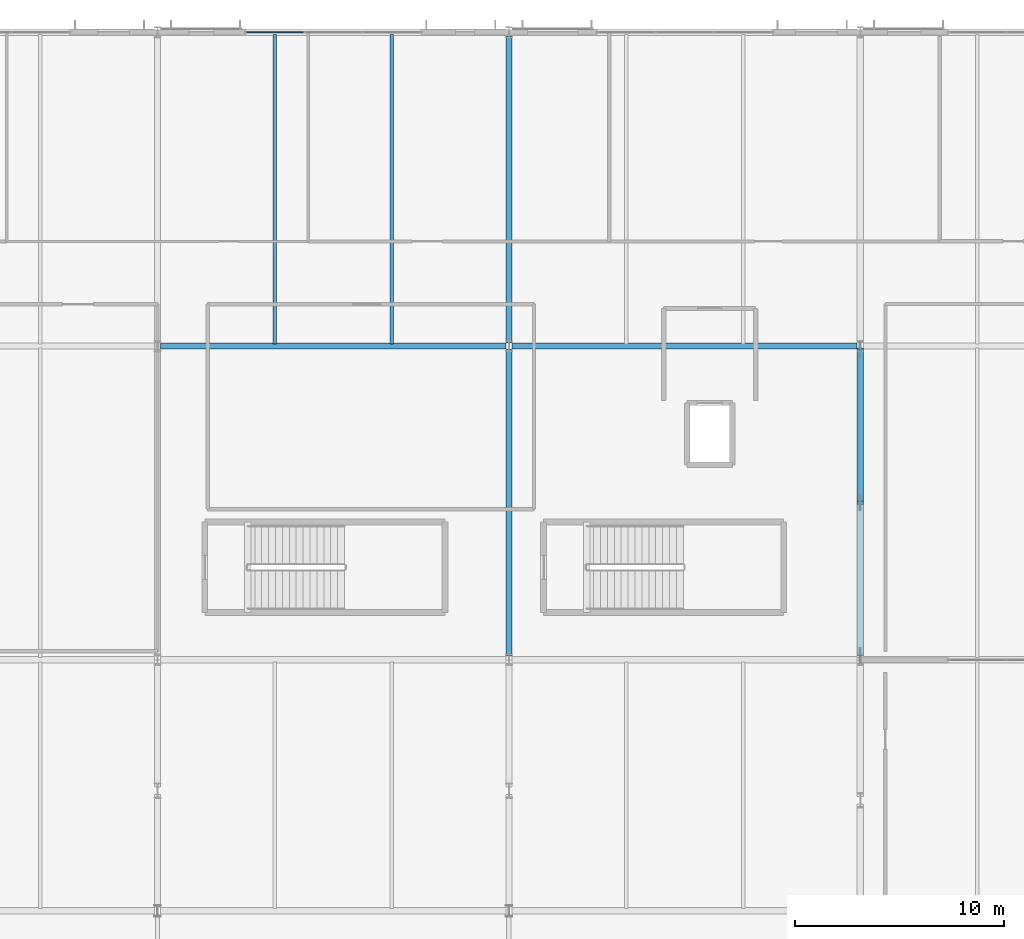
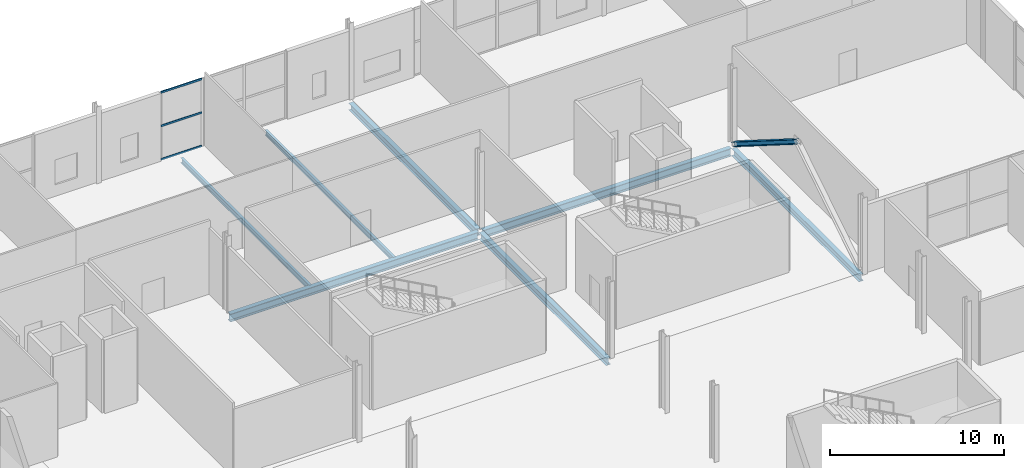
# One storey, part 34 of 84: 7 beams, 4 members, 1 element without a shape of its own.
"""IFC4 building model written with IfcOpenShell, lengths in metres."""

from ifc_helpers import new_model, si_unit, direction, frame, origin, origin_2d, place, context, subcontext, project, spatial, rectangle, i_section, extrude, material, material_profile, profile_set, type_object, element, aggregate, save


model = new_model("IFC4")

# Units and contexts
model_context = context("Model", 3, precision=1e-05, world=origin(), true_north=direction((0.0, 1.0)))
body_context = subcontext(model_context, "Body", "Model", "MODEL_VIEW")
ifc_project = project(units=[si_unit("LENGTHUNIT", "METRE"), si_unit("AREAUNIT", "SQUARE_METRE"), si_unit("VOLUMEUNIT", "CUBIC_METRE"), si_unit("PLANEANGLEUNIT", "RADIAN"), si_unit("MASSUNIT", "GRAM", prefix="KILO")], contexts=[model_context])

# Site, building, storey
site_placement = place(None, origin())
site = spatial("IfcSite", under=ifc_project, at=site_placement, CompositionType="ELEMENT")
building_placement = place(site_placement, origin())
building = spatial("IfcBuilding", under=site, at=building_placement, Name="Kimbaza Rail Terminus", CompositionType="ELEMENT")
storey_placement = place(building_placement, frame((0.0, 0.0, 5.39990234375)))
storey = spatial("IfcBuildingStorey", under=building, at=storey_placement, Name="L01", CompositionType="ELEMENT", Elevation=5.39990234375)

# Curtain wall, members
ifc_material_1 = material(Name="Anodised aluminium framing and solar low-E glazing", Category="aluminium")
curtain_wall_type = type_object("IfcCurtainWallType", Name="ARC-CW-OP1", PredefinedType="USERDEFINED", material=ifc_material_1)
curtain_wall_placement = place(storey_placement, origin())
curtain_wall = element("IfcCurtainWall", 1, at=curtain_wall_placement, inside=storey, type_object=curtain_wall_type, Name="Operations North Curtain Wall L01 Bay 4", ObjectType="UNITISED CURTAIN WALL", PredefinedType="USERDEFINED")
ifc_material_2 = material(Name="Anodised architectural aluminium", Category="aluminium")
ifc_material_profile_1 = material_profile(ifc_material_2, rectangle(XDim=0.06201171875, YDim=0.135009765625, at=origin_2d()), Name="TRANSOM 62x135")
ifc_profile_set_1 = profile_set([ifc_material_profile_1], Name="Anodised architectural aluminium")
member_type_1 = type_object("IfcMemberType", Name="ARC-CWT-05", PredefinedType="USERDEFINED", material=ifc_profile_set_1)
member_1_placement = place(storey_placement, frame((109.862060546875, 133.0, 0.031005859375), z_axis=(1.0, 0.0, 0.0), x_axis=(0.0, 1.0, 0.0)))
member_1 = element("IfcMember", 2, at=member_1_placement, type_object=member_type_1, Name="CW-05 transom 1.1", ObjectType="TRANSOM", PredefinedType="USERDEFINED", context=body_context, shape_type="SweptSolid", body=[
    extrude(rectangle(XDim=0.06201171875, YDim=0.135009765625, at=origin_2d()), origin(), (0.0, 0.0, 1.0), 2.70703125),
])
member_2_placement = place(storey_placement, frame((109.862060546875, 133.0, 2.382568359375), z_axis=(1.0, 0.0, 0.0), x_axis=(0.0, 1.0, 0.0)))
member_2 = element("IfcMember", 3, at=member_2_placement, type_object=member_type_1, Name="CW-05 transom 1.2", ObjectType="TRANSOM", PredefinedType="USERDEFINED", context=body_context, shape_type="SweptSolid", body=[
    extrude(rectangle(XDim=0.06201171875, YDim=0.135009765625, at=origin_2d()), origin(), (0.0, 0.0, 1.0), 2.70703125),
])
member_3_placement = place(storey_placement, frame((109.862060546875, 133.0, 4.734130859375), z_axis=(1.0, 0.0, 0.0), x_axis=(0.0, 1.0, 0.0)))
member_3 = element("IfcMember", 4, at=member_3_placement, type_object=member_type_1, Name="CW-05 transom 1.3", ObjectType="TRANSOM", PredefinedType="USERDEFINED", context=body_context, shape_type="SweptSolid", body=[
    extrude(rectangle(XDim=0.06201171875, YDim=0.135009765625, at=origin_2d()), origin(), (0.0, 0.0, 1.0), 2.70703125),
])
aggregate(curtain_wall, [member_1, member_2, member_3])

# Beams
ifc_material_3 = material(Name="Steel S355", Category="steel")
ifc_material_profile_2 = material_profile(ifc_material_3, i_section(OverallWidth=0.300048828125, OverallDepth=0.5, WebThickness=0.014404296875, FlangeThickness=0.028076171875, FilletRadius=0.027099609375, at=origin_2d()), Name="HEB 500")
ifc_profile_set_2 = profile_set([ifc_material_profile_2], Name="Steel S355")
beam_type_1 = type_object("IfcBeamType", Name="STR-BM-HEB500", PredefinedType="BEAM", material=ifc_profile_set_2)
for number, where, z_axis, x_axis, name in (
    (5, (122.39990234375, 103.175048828125, -0.489990234375), (0.0, 1.0, 0.0), (-1.0, 0.0, 0.0), "Operations Cross Girder L01 X4-Y0"),
    (6, (122.39990234375, 118.175048828125, -0.489990234375), (0.0, 1.0, 0.0), (-1.0, 0.0, 0.0), "Operations Cross Girder L01 X4-Y1"),
    (7, (139.199951171875, 103.175048828125, -0.489990234375), (0.0, 1.0, 0.0), (-1.0, 0.0, 0.0), "Operations Cross Girder L01 X5-Y0"),
):
    element("IfcBeam", number, at=place(storey_placement, frame(where, z_axis=z_axis, x_axis=x_axis)), inside=storey, type_object=beam_type_1, Name=name, PredefinedType="BEAM", context=body_context, shape_type="SweptSolid", body=[
        extrude(i_section(OverallWidth=0.300048828125, OverallDepth=0.5, WebThickness=0.014404296875, FlangeThickness=0.028076171875, FilletRadius=0.027099609375, at=origin_2d()), origin(), (0.0, 0.0, 1.0), 14.64990234375),
    ])
ifc_material_4 = material(Name="Steel S355", Category="steel")
ifc_material_profile_3 = material_profile(ifc_material_4, i_section(OverallWidth=0.300048828125, OverallDepth=0.550048828125, WebThickness=0.014892578125, FlangeThickness=0.029052734375, FilletRadius=0.027099609375, at=origin_2d()), Name="HEB 550")
ifc_profile_set_3 = profile_set([ifc_material_profile_3], Name="Steel S355")
beam_type_2 = type_object("IfcBeamType", Name="STR-BM-HEB550", PredefinedType="BEAM", material=ifc_profile_set_3)
beam_1_placement = place(storey_placement, frame((105.74609375, 118.0, -0.514892578125), z_axis=(1.0, 0.0, 0.0), x_axis=(0.0, 1.0, 0.0)))
element("IfcBeam", 8, at=beam_1_placement, inside=storey, type_object=beam_type_2, Name="Operations Girder L01 X3-Y1", PredefinedType="BEAM", context=body_context, shape_type="SweptSolid", body=[
    extrude(i_section(OverallWidth=0.300048828125, OverallDepth=0.550048828125, WebThickness=0.014892578125, FlangeThickness=0.029052734375, FilletRadius=0.027099609375, at=origin_2d()), origin(), (0.0, 0.0, 1.0), 16.5078125),
])
beam_2_placement = place(storey_placement, frame((122.5458984375, 118.0, -0.514892578125), z_axis=(1.0, 0.0, 0.0), x_axis=(0.0, 1.0, 0.0)))
element("IfcBeam", 9, at=beam_2_placement, inside=storey, type_object=beam_type_2, Name="Operations Girder L01 X4-Y1", PredefinedType="BEAM", context=body_context, shape_type="SweptSolid", body=[
    extrude(i_section(OverallWidth=0.300048828125, OverallDepth=0.550048828125, WebThickness=0.014892578125, FlangeThickness=0.029052734375, FilletRadius=0.027099609375, at=origin_2d()), origin(), (0.0, 0.0, 1.0), 16.508056640625),
])
ifc_material_5 = material(Name="Steel S355", Category="steel")
ifc_material_profile_4 = material_profile(ifc_material_5, i_section(OverallWidth=0.169921875, OverallDepth=0.360107421875, WebThickness=0.008056640625, FlangeThickness=0.0126953125, FilletRadius=0.01806640625, at=origin_2d()), Name="IPE 360")
ifc_profile_set_4 = profile_set([ifc_material_profile_4], Name="Steel S355")
beam_type_3 = type_object("IfcBeamType", Name="STR-BM-IPE360", PredefinedType="JOIST", material=ifc_profile_set_4)
for number, where, z_axis, x_axis, name in (
    (10, (111.199951171875, 118.10009765625, -0.419921875), (0.0, 1.0, 0.0), (-1.0, 0.0, 0.0), "Operations Secondary Joist L01"),
    (11, (116.800048828125, 118.10009765625, -0.419921875), (0.0, 1.0, 0.0), (-1.0, 0.0, 0.0), "Operations Secondary Joist L01"),
):
    element("IfcBeam", number, at=place(storey_placement, frame(where, z_axis=z_axis, x_axis=x_axis)), inside=storey, type_object=beam_type_3, Name=name, PredefinedType="JOIST", context=body_context, shape_type="SweptSolid", body=[
        extrude(i_section(OverallWidth=0.169921875, OverallDepth=0.360107421875, WebThickness=0.008056640625, FlangeThickness=0.0126953125, FilletRadius=0.01806640625, at=origin_2d()), origin(), (0.0, 0.0, 1.0), 14.7998046875),
    ])

# Member
ifc_material_6 = material(Name="Steel S355", Category="steel")
ifc_material_profile_5 = material_profile(ifc_material_6, i_section(OverallWidth=0.300048828125, OverallDepth=0.300048828125, WebThickness=0.010986328125, FlangeThickness=0.01904296875, FilletRadius=0.027099609375, at=origin_2d()), Name="HEB 300")
ifc_profile_set_5 = profile_set([ifc_material_profile_5], Name="Steel S355")
member_type_2 = type_object("IfcMemberType", Name="STR-MB-HEB300", PredefinedType="BRACE", material=ifc_profile_set_5)
member_4_placement = place(storey_placement, frame((139.199951171875, 117.820068359375, 0.050048828125), z_axis=(0.0, -0.846171567323, 0.53291057285), x_axis=(1.0, 0.0, 0.0)))
element("IfcMember", 12, at=member_4_placement, inside=storey, type_object=member_type_2, Name="Core Chevron Brace 6B", PredefinedType="BRACE", context=body_context, shape_type="SweptSolid", body=[
    extrude(i_section(OverallWidth=0.300048828125, OverallDepth=0.300048828125, WebThickness=0.010986328125, FlangeThickness=0.01904296875, FilletRadius=0.027099609375, at=origin_2d()), origin(), (0.0, 0.0, 1.0), 8.65087890625),
])

save(model, "model.ifc")
